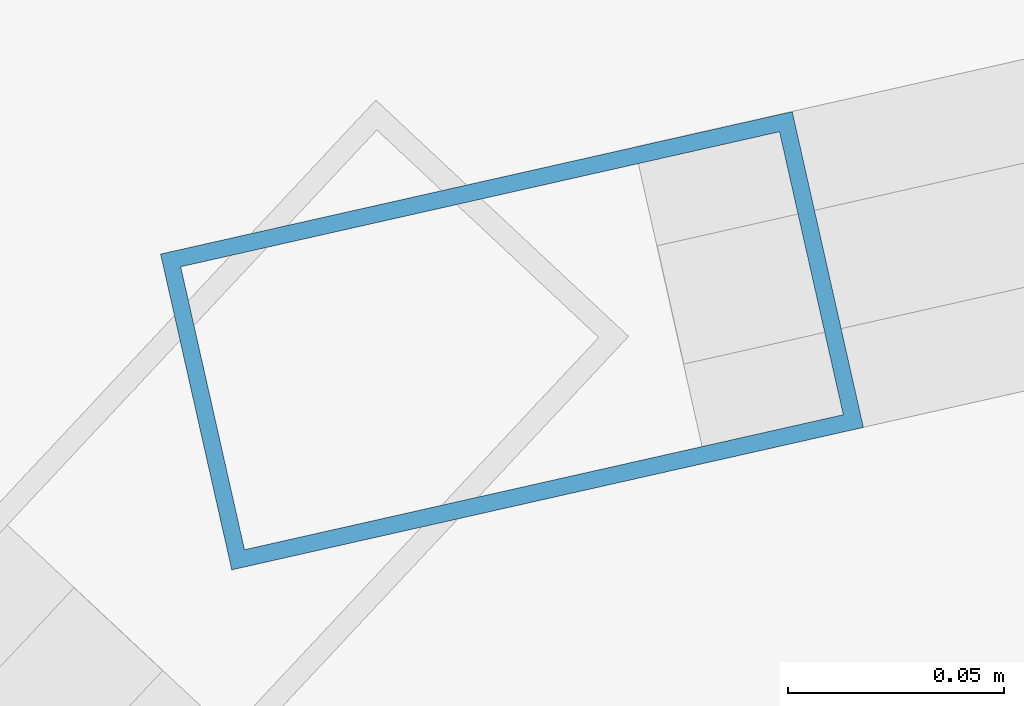
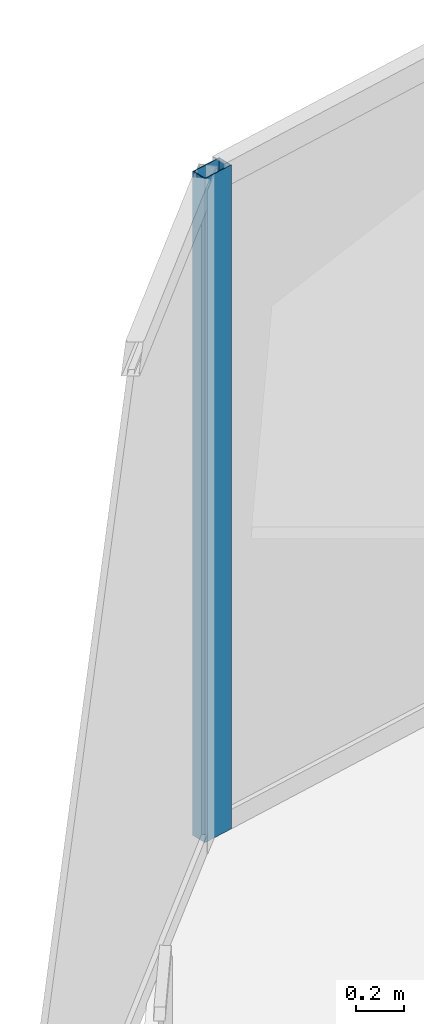
# One storey, part 17 of 34: 1 member, 1 element without a shape of its own.
"""IFC4 building model written with IfcOpenShell, lengths in metres."""

from ifc_helpers import new_model, si_unit, direction, frame, origin, origin_2d, place, context, subcontext, project, spatial, hollow_rectangle, extrude, material, layer, layer_set, material_profile, profile_set, type_object, element, aggregate, save


model = new_model("IFC4")

# Units and contexts
model_context = context("Model", 3, precision=1e-05, world=origin(), true_north=direction((0.0, 1.0)))
body_context = subcontext(model_context, "Body", "Model", "MODEL_VIEW")
ifc_project = project(units=[si_unit("LENGTHUNIT", "METRE"), si_unit("AREAUNIT", "SQUARE_METRE"), si_unit("VOLUMEUNIT", "CUBIC_METRE"), si_unit("PLANEANGLEUNIT", "RADIAN"), si_unit("MASSUNIT", "GRAM", prefix="KILO")], contexts=[model_context])

# Site, building, storey
site_placement = place(None, origin())
site = spatial("IfcSite", under=ifc_project, at=site_placement, CompositionType="ELEMENT")
building_placement = place(site_placement, origin())
building = spatial("IfcBuilding", under=site, at=building_placement, Name="Kazevale Care Tower and Concert Hall", CompositionType="ELEMENT")
storey_placement = place(building_placement, frame((0.0, 0.0, 67.199951171875)))
storey = spatial("IfcBuildingStorey", under=building, at=storey_placement, Name="L17", CompositionType="ELEMENT", Elevation=67.199951171875)

# Curtain wall, member
ifc_material_1 = material(Name="Aluminium 6063-T6 and Low-E Glass", Category="aluminium")
ifc_layer = layer(ifc_material_1, 0.179931640625)
ifc_layer_set = layer_set([ifc_layer], Name="Aluminium 6063-T6 and Low-E Glass")
curtain_wall_type = type_object("IfcCurtainWallType", Name="Convex Recessed Sunroom Curtain Wall CW-3", PredefinedType="NOTDEFINED", material=ifc_layer_set)
curtain_wall_placement = place(storey_placement, origin())
curtain_wall = element("IfcCurtainWall", 1, at=curtain_wall_placement, inside=storey, type_object=curtain_wall_type, Name="cw:L17:f15", PredefinedType="NOTDEFINED")
ifc_material_2 = material(Name="Aluminium 6063-T6", Category="aluminium")
ifc_material_profile = material_profile(ifc_material_2, hollow_rectangle(XDim=0.074951171875, YDim=0.14990234375, WallThickness=0.00390625, at=origin_2d()), Name="ALU75x150x4")
ifc_profile_set = profile_set([ifc_material_profile], Name="Aluminium 6063-T6")
member_type = type_object("IfcMemberType", Name="CW-3 Mullion ALU75x150x4", PredefinedType="MULLION", material=ifc_profile_set)
member_placement = place(storey_placement, frame((25.073486328125, 62.88525390625, 0.0), z_axis=(0.0, 0.0, 1.0), x_axis=(-0.219910670667, 0.975520013596, 0.0)))
member = element("IfcMember", 2, at=member_placement, type_object=member_type, Name="CW-3 mullion 1", PredefinedType="MULLION", context=body_context, shape_type="SweptSolid", body=[
    extrude(hollow_rectangle(XDim=0.074951171875, YDim=0.14990234375, WallThickness=0.00390625, at=origin_2d()), origin(), (0.0, 0.0, 1.0), 3.360107421875),
])
aggregate(curtain_wall, [member])

save(model, "model.ifc")
